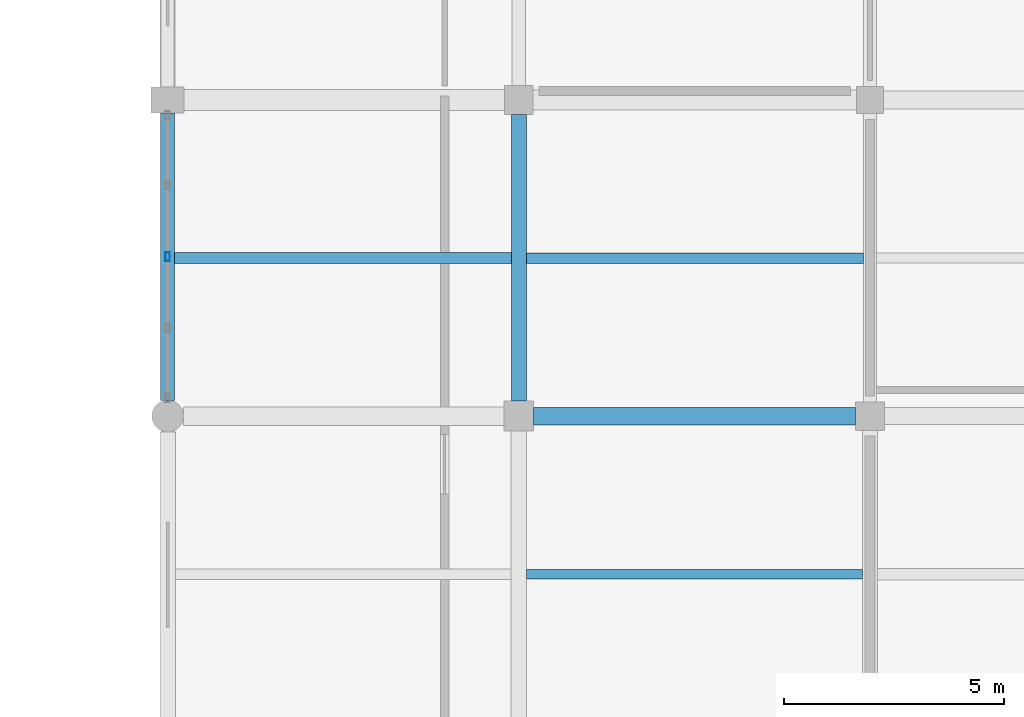
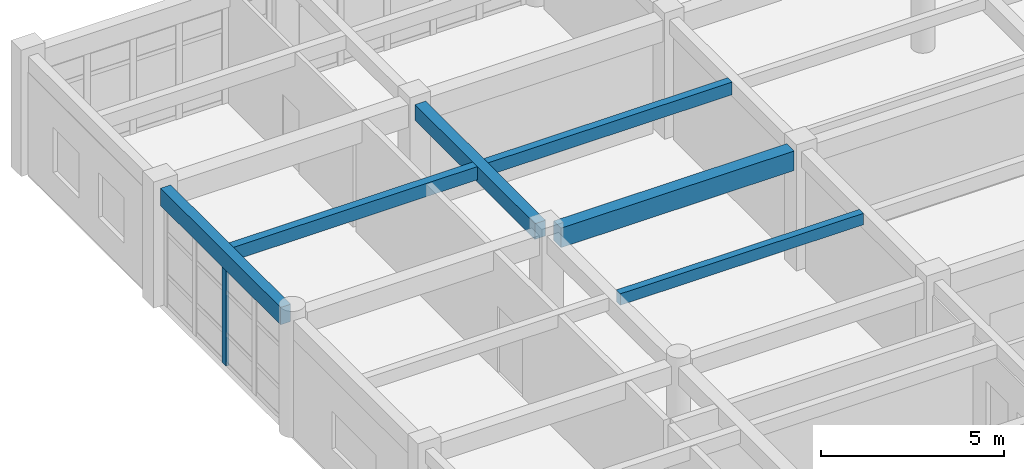
# One storey, part 110 of 195: 6 beams, 1 member, 1 element without a shape of its own.
"""IFC4 building model written with IfcOpenShell, lengths in metres."""

from ifc_helpers import new_model, si_unit, direction, frame, origin, origin_2d, place, context, subcontext, project, spatial, rectangle, hollow_rectangle, extrude, material, material_profile, profile_set, type_object, element, aggregate, save


model = new_model("IFC4")

# Units and contexts
model_context = context("Model", 3, precision=1e-05, world=origin(), true_north=direction((0.0, 1.0)))
body_context = subcontext(model_context, "Body", "Model", "MODEL_VIEW")
ifc_project = project(units=[si_unit("LENGTHUNIT", "METRE"), si_unit("AREAUNIT", "SQUARE_METRE"), si_unit("VOLUMEUNIT", "CUBIC_METRE"), si_unit("PLANEANGLEUNIT", "RADIAN"), si_unit("MASSUNIT", "GRAM", prefix="KILO")], contexts=[model_context])

# Site, building, storey
site_placement = place(None, origin())
site = spatial("IfcSite", under=ifc_project, at=site_placement, CompositionType="ELEMENT")
building_placement = place(site_placement, origin())
building = spatial("IfcBuilding", under=site, at=building_placement, Name="Kharva Crest Polytechnic", CompositionType="ELEMENT")
storey_placement = place(building_placement, frame((0.0, 0.0, 9.0)))
storey = spatial("IfcBuildingStorey", under=building, at=storey_placement, Name="L02", CompositionType="ELEMENT", Elevation=9.0)

# Beams
ifc_material_1 = material(Name="Concrete C35/45", Category="concrete")
ifc_material_profile_1 = material_profile(ifc_material_1, rectangle(XDim=0.340087890625, YDim=0.52001953125, at=origin_2d()), Name="RECT 340 X 520")
ifc_profile_set_1 = profile_set([ifc_material_profile_1], Name="Concrete C35/45")
beam_type_1 = type_object("IfcBeamType", Name="BM-RC-340X520", PredefinedType="BEAM", material=ifc_profile_set_1)
beam_1_placement = place(storey_placement, frame((40.0, 107.93994140625, 3.659912109375), z_axis=(0.0, 1.0, 0.0), x_axis=(-1.0, 0.0, 0.0)))
element("IfcBeam", 1, at=beam_1_placement, inside=storey, type_object=beam_type_1, Name="L02 Girder 6/Q-R", PredefinedType="BEAM", context=body_context, shape_type="SweptSolid", body=[
    extrude(rectangle(XDim=0.340087890625, YDim=0.52001953125, at=origin_2d()), origin(), (0.0, 0.0, 1.0), 6.53515625),
])
ifc_material_profile_2 = material_profile(ifc_material_1, rectangle(XDim=0.39990234375, YDim=0.64990234375, at=origin_2d()), Name="RECT 400 X 650")
ifc_profile_set_2 = profile_set([ifc_material_profile_2], Name="Concrete C35/45")
beam_type_2 = type_object("IfcBeamType", Name="BM-RC-400X650", PredefinedType="BEAM", material=ifc_profile_set_2)
beam_2_placement = place(storey_placement, frame((40.340087890625, 107.60009765625, 3.594970703125), z_axis=(1.0, 0.0, 0.0), x_axis=(0.0, 1.0, 0.0)))
element("IfcBeam", 2, at=beam_2_placement, inside=storey, type_object=beam_type_2, Name="L02 Beam Q/6-7", PredefinedType="BEAM", context=body_context, shape_type="SweptSolid", body=[
    extrude(rectangle(XDim=0.39990234375, YDim=0.64990234375, at=origin_2d()), origin(), (0.0, 0.0, 1.0), 7.3349609375),
])

# Curtain wall, member
ifc_material_2 = material(Name="Tempered insulated glass", Category="glass")
curtain_wall_type = type_object("IfcCurtainWallType", Name="CW-SYS-LIBRARY", PredefinedType="USERDEFINED", material=ifc_material_2)
curtain_wall_placement = place(storey_placement, origin())
curtain_wall = element("IfcCurtainWall", 3, at=curtain_wall_placement, inside=storey, type_object=curtain_wall_type, Name="L02 Glazed Curtain Wall CW-123", ObjectType="CURTAIN WALL", PredefinedType="USERDEFINED")
ifc_material_3 = material(Name="Steel S355", Category="steel")
ifc_material_profile_3 = material_profile(ifc_material_3, hollow_rectangle(XDim=0.10009765625, YDim=0.199951171875, WallThickness=0.00634765625, at=origin_2d()), Name="RHS 200X100X6.3")
ifc_profile_set_3 = profile_set([ifc_material_profile_3], Name="Steel S355")
member_type = type_object("IfcMemberType", Name="CWM-RHS200X100", PredefinedType="MULLION", material=ifc_profile_set_3)
member_placement = place(storey_placement, frame((32.0, 111.22998046875, 0.0), z_axis=(0.0, 0.0, 1.0), x_axis=(1.0, 0.0, 0.0)))
member = element("IfcMember", 4, at=member_placement, type_object=member_type, Name="CW-123 mullion 3", PredefinedType="MULLION", context=body_context, shape_type="SweptSolid", body=[
    extrude(hollow_rectangle(XDim=0.10009765625, YDim=0.199951171875, WallThickness=0.00634765625, at=origin_2d()), origin(), (0.0, 0.0, 1.0), 3.340087890625),
])
aggregate(curtain_wall, [member])

# Beams
ifc_material_profile_4 = material_profile(ifc_material_1, rectangle(XDim=0.219970703125, YDim=0.3798828125, at=origin_2d()), Name="RECT 220 X 380")
ifc_profile_set_4 = profile_set([ifc_material_profile_4], Name="Concrete C35/45")
beam_type_3 = type_object("IfcBeamType", Name="JS-RC-220X380", PredefinedType="JOIST", material=ifc_profile_set_4)
beam_3_placement = place(storey_placement, frame((40.179931640625, 104.0, 3.72998046875), z_axis=(1.0, 0.0, 0.0), x_axis=(0.0, 1.0, 0.0)))
element("IfcBeam", 5, at=beam_3_placement, inside=storey, type_object=beam_type_3, Name="L02 Floor Joist 16", PredefinedType="JOIST", context=body_context, shape_type="SweptSolid", body=[
    extrude(rectangle(XDim=0.219970703125, YDim=0.3798828125, at=origin_2d()), origin(), (0.0, 0.0, 1.0), 7.650146484375),
])
ifc_material_profile_5 = material_profile(ifc_material_1, rectangle(XDim=0.239990234375, YDim=0.419921875, at=origin_2d()), Name="RECT 240 X 420")
ifc_profile_set_5 = profile_set([ifc_material_profile_5], Name="Concrete C35/45")
beam_type_4 = type_object("IfcBeamType", Name="JS-RC-240X420", PredefinedType="JOIST", material=ifc_profile_set_5)
beam_4_placement = place(storey_placement, frame((40.169921875, 111.199951171875, 3.7099609375), z_axis=(1.0, 0.0, 0.0), x_axis=(0.0, 1.0, 0.0)))
element("IfcBeam", 6, at=beam_4_placement, inside=storey, type_object=beam_type_4, Name="L02 Floor Joist 35", PredefinedType="JOIST", context=body_context, shape_type="SweptSolid", body=[
    extrude(rectangle(XDim=0.239990234375, YDim=0.419921875, at=origin_2d()), origin(), (0.0, 0.0, 1.0), 7.68017578125),
])
ifc_material_profile_6 = material_profile(ifc_material_1, rectangle(XDim=0.25, YDim=0.43994140625, at=origin_2d()), Name="RECT 250 X 440")
ifc_profile_set_6 = profile_set([ifc_material_profile_6], Name="Concrete C35/45")
beam_type_5 = type_object("IfcBeamType", Name="JS-RC-250X440", PredefinedType="JOIST", material=ifc_profile_set_6)
beam_5_placement = place(storey_placement, frame((32.159912109375, 111.199951171875, 3.699951171875), z_axis=(1.0, 0.0, 0.0), x_axis=(0.0, 1.0, 0.0)))
element("IfcBeam", 7, at=beam_5_placement, inside=storey, type_object=beam_type_5, Name="L02 Floor Joist 34", PredefinedType="JOIST", context=body_context, shape_type="SweptSolid", body=[
    extrude(rectangle(XDim=0.25, YDim=0.43994140625, at=origin_2d()), origin(), (0.0, 0.0, 1.0), 7.670166015625),
])
ifc_material_profile_7 = material_profile(ifc_material_1, rectangle(XDim=0.320068359375, YDim=0.580078125, at=origin_2d()), Name="RECT 320 X 580")
ifc_profile_set_7 = profile_set([ifc_material_profile_7], Name="Concrete C35/45")
beam_type_6 = type_object("IfcBeamType", Name="SP-RC-320X580", PredefinedType="SPANDREL", material=ifc_profile_set_7)
beam_6_placement = place(storey_placement, frame((32.0, 107.9599609375, 3.6298828125), z_axis=(0.0, 1.0, 0.0), x_axis=(-1.0, 0.0, 0.0)))
element("IfcBeam", 8, at=beam_6_placement, inside=storey, type_object=beam_type_6, Name="L02 Girder 5/Q-R", PredefinedType="SPANDREL", context=body_context, shape_type="SweptSolid", body=[
    extrude(rectangle(XDim=0.320068359375, YDim=0.580078125, at=origin_2d()), origin(), (0.0, 0.0, 1.0), 6.5400390625),
])

save(model, "model.ifc")
